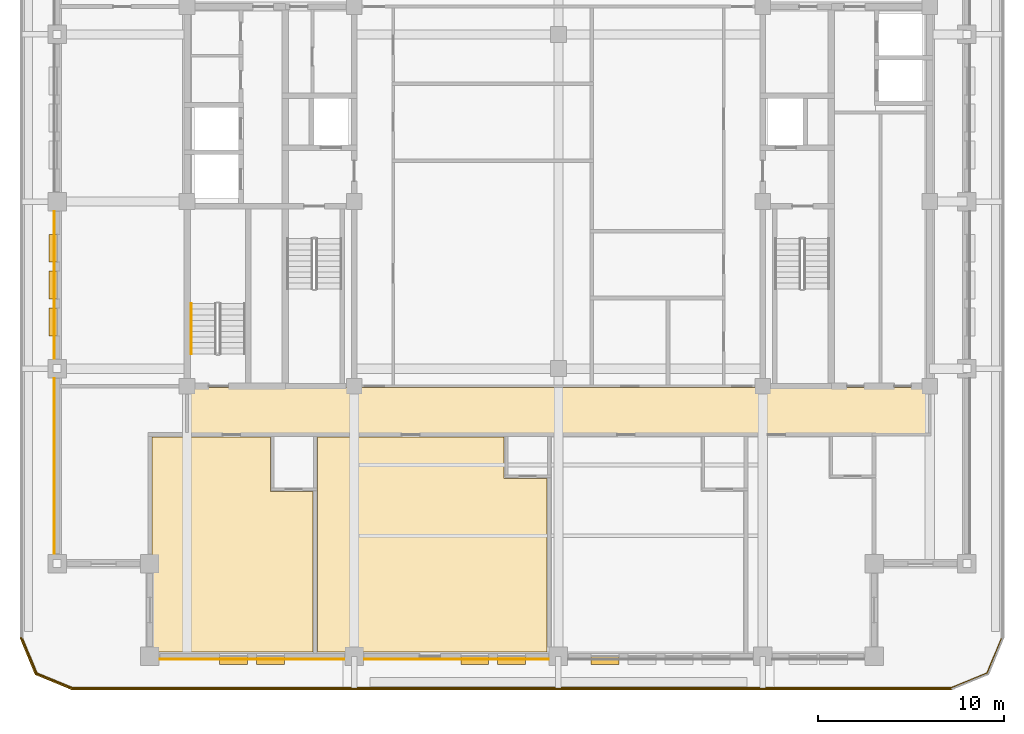
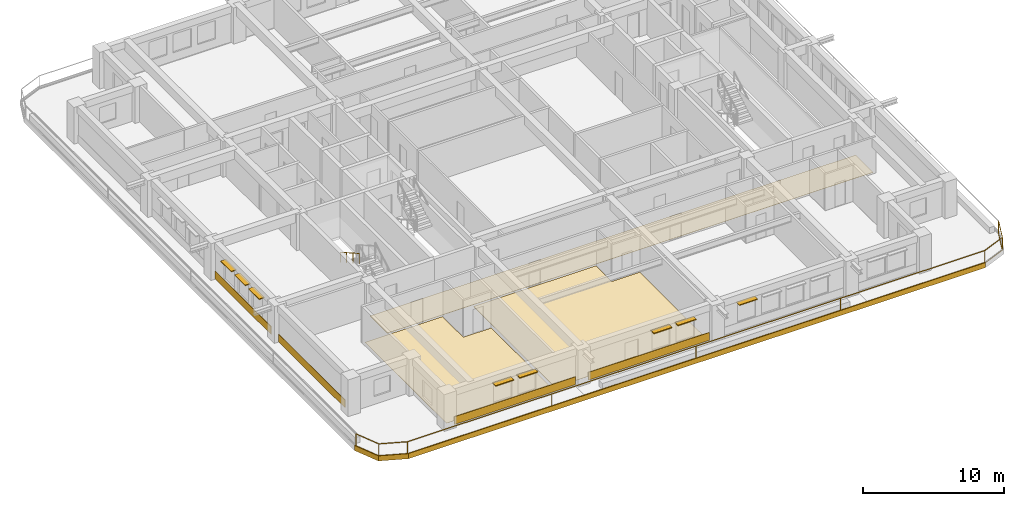
# One storey, part 8 of 14: 10 coverings, 8 shading devices, 2 railings.
"""IFC4 building model written with IfcOpenShell, lengths in metres."""

from ifc_helpers import new_model, si_unit, direction, frame, frame_2d, origin, origin_2d, place, context, subcontext, project, spatial, polyline, rectangle, outline, extrude, material, layer, layer_set, type_object, element, save


model = new_model("IFC4")

# Units and contexts
model_context = context("Model", 3, precision=1e-05, world=origin(), true_north=direction((0.0, 1.0)))
body_context = subcontext(model_context, "Body", "Model", "MODEL_VIEW")
ifc_project = project(units=[si_unit("LENGTHUNIT", "METRE"), si_unit("AREAUNIT", "SQUARE_METRE"), si_unit("VOLUMEUNIT", "CUBIC_METRE"), si_unit("PLANEANGLEUNIT", "RADIAN"), si_unit("MASSUNIT", "GRAM", prefix="KILO")], contexts=[model_context])

# Site, building, storey
site_placement = place(None, origin())
site = spatial("IfcSite", under=ifc_project, at=site_placement, CompositionType="ELEMENT")
building_placement = place(site_placement, origin())
building = spatial("IfcBuilding", under=site, at=building_placement, Name="Zulmaris Gate Convention Tower", CompositionType="ELEMENT")
storey_placement = place(building_placement, frame((0.0, 0.0, 198.260009765625)))
storey = spatial("IfcBuildingStorey", under=building, at=storey_placement, Name="L51", CompositionType="ELEMENT", Elevation=198.260009765625)

# Coverings
ifc_material_1 = material(Name="Precast concrete C40/50", Category="concrete")
ifc_layer_1 = layer(ifc_material_1, 0.0400390625, Name="Precast concrete C40/50")
ifc_layer_set_1 = layer_set([ifc_layer_1], Name="Precast concrete C40/50")
covering_type_1 = type_object("IfcCoveringType", Name="CLAD-SPANDREL-PRECAST", PredefinedType="CLADDING", material=ifc_layer_set_1)
for number, where, z_axis, x_axis, name in (
    (1, (-21.469970703125, -24.64990234375, 0.0), (0.0, 0.0, 1.0), (1.0, 0.0, 0.0), "CLD-L51-S-0_0"),
    (2, (-10.469970703125, -24.64990234375, 0.0), (0.0, 0.0, 1.0), (1.0, 0.0, 0.0), "CLD-L51-S-1_0"),
):
    element("IfcCovering", number, at=place(storey_placement, frame(where, z_axis=z_axis, x_axis=x_axis)), inside=storey, type_object=covering_type_1, Name=name, PredefinedType="CLADDING", context=body_context, shape_type="SweptSolid", body=[
        extrude(rectangle(XDim=9.93994140625, YDim=0.0400390625, at=frame_2d((4.969970703125, 0.0))), origin(), (0.0, 0.0, 1.0), 0.679931640625),
    ])
covering_1_placement = place(storey_placement, frame((-27.14990234375, -9.530029296875, 0.0), z_axis=(0.0, 0.0, 1.0), x_axis=(0.0, -1.0, 0.0)))
element("IfcCovering", 3, at=covering_1_placement, inside=storey, type_object=covering_type_1, Name="CLD-L51-W-0_0", PredefinedType="CLADDING", context=body_context, shape_type="SweptSolid", body=[
    extrude(rectangle(XDim=9.43994140625, YDim=0.0400390625, at=frame_2d((4.719970703125, 0.0))), origin(), (0.0, 0.0, 1.0), 0.679931640625),
])
covering_2_placement = place(storey_placement, frame((-27.14990234375, -0.530029296875, 0.0), z_axis=(0.0, 0.0, 1.0), x_axis=(0.0, -1.0, 0.0)))
element("IfcCovering", 4, at=covering_2_placement, inside=storey, type_object=covering_type_1, Name="CLD-L51-W-1_0", PredefinedType="CLADDING", context=body_context, shape_type="SweptSolid", body=[
    extrude(rectangle(XDim=7.93994140625, YDim=0.0400390625, at=frame_2d((3.969970703125, 0.0))), origin(), (0.0, 0.0, 1.0), 0.679931640625),
])
ifc_material_2 = material(Name="White Glazed Architectural Precast Concrete C40/50", Category="concrete")
ifc_layer_2 = layer(ifc_material_2, 0.080078125, Name="White Glazed Architectural Precast Concrete C40/50")
ifc_layer_set_2 = layer_set([ifc_layer_2], Name="White Glazed Architectural Precast Concrete C40/50")
covering_type_2 = type_object("IfcCoveringType", Name="CLAD-TRAY-FASCIA", PredefinedType="CLADDING", material=ifc_layer_set_2)
covering_3_placement = place(storey_placement, frame((-28.962890625, -23.484619140625, -0.31494140625), z_axis=(0.0, 0.0, 1.0), x_axis=(0.382656984709, -0.923890487046, 0.0)))
element("IfcCovering", 5, at=covering_3_placement, inside=storey, type_object=covering_type_2, Name="FSC-L51-TR-00", PredefinedType="CLADDING", context=body_context, shape_type="SweptSolid", body=[
    extrude(rectangle(XDim=2.14306640625, YDim=0.080078125, at=frame_2d((1.071533203125, 0.0))), origin(), (0.0, 0.0, 1.0), 0.43994140625),
])
covering_4_placement = place(storey_placement, frame((-28.16455078125, -25.44287109375, -0.31494140625), z_axis=(0.0, 0.0, 1.0), x_axis=(0.923873803533, -0.382697263049, 0.0)))
element("IfcCovering", 6, at=covering_4_placement, inside=storey, type_object=covering_type_2, Name="FSC-L51-TR-01", PredefinedType="CLADDING", context=body_context, shape_type="SweptSolid", body=[
    extrude(rectangle(XDim=2.142822265625, YDim=0.080078125, at=frame_2d((1.0712890625, 0.0))), origin(), (0.0, 0.0, 1.0), 0.43994140625),
])
covering_5_placement = place(storey_placement, frame((-26.199951171875, -26.260009765625, -0.31494140625), z_axis=(0.0, 0.0, 1.0), x_axis=(1.0, 0.0, 0.0)))
element("IfcCovering", 7, at=covering_5_placement, inside=storey, type_object=covering_type_2, Name="FSC-L51-TR-02", PredefinedType="CLADDING", context=body_context, shape_type="SweptSolid", body=[
    extrude(rectangle(XDim=47.39990234375, YDim=0.080078125, at=frame_2d((23.699951171875, 0.0))), origin(), (0.0, 0.0, 1.0), 0.43994140625),
])
ifc_material_3 = material(Name="Woven Acoustic Wool Carpet Tile")
ifc_layer_3 = layer(ifc_material_3, 0.02001953125, Name="Woven Acoustic Wool Carpet Tile")
ifc_layer_set_3 = layer_set([ifc_layer_3], Name="Woven Acoustic Wool Carpet Tile")
covering_type_3 = type_object("IfcCoveringType", Name="FLR-CARPET-12", PredefinedType="FLOORING", material=ifc_layer_set_3)
covering_6_placement = place(storey_placement, origin())
element("IfcCovering", 8, at=covering_6_placement, inside=storey, type_object=covering_type_3, Name="FLR-L51-R29", PredefinedType="FLOORING", context=body_context, shape_type="SweptSolid", body=[
    extrude(outline(polyline([(-19.93994140625, -12.489990234375), (19.93994140625, -12.489990234375), (19.93994140625, -10.010009765625), (-19.93994140625, -10.010009765625), (-19.93994140625, -12.489990234375)])), origin(), (0.0, 0.0, 1.0), 0.02001953125),
])
ifc_material_4 = material(Name="Engineered Teak Parquet Flooring")
ifc_layer_4 = layer(ifc_material_4, 0.02001953125, Name="Engineered Teak Parquet Flooring")
ifc_layer_set_4 = layer_set([ifc_layer_4], Name="Engineered Teak Parquet Flooring")
covering_type_4 = type_object("IfcCoveringType", Name="FLR-TIMBER-18", PredefinedType="FLOORING", material=ifc_layer_set_4)
covering_7_placement = place(storey_placement, origin())
element("IfcCovering", 9, at=covering_7_placement, inside=storey, type_object=covering_type_4, Name="FLR-L51-R39", PredefinedType="FLOORING", context=body_context, shape_type="SweptSolid", body=[
    extrude(outline(polyline([(-21.8798828125, -24.260009765625), (-13.219970703125, -24.260009765625), (-13.219970703125, -15.6201171875), (-15.52001953125, -15.6201171875), (-15.52001953125, -12.669921875), (-21.8798828125, -12.669921875), (-21.8798828125, -24.260009765625)])), origin(), (0.0, 0.0, 1.0), 0.02001953125),
])
covering_8_placement = place(storey_placement, origin())
element("IfcCovering", 10, at=covering_8_placement, inside=storey, type_object=covering_type_4, Name="FLR-L51-R41", PredefinedType="FLOORING", context=body_context, shape_type="SweptSolid", body=[
    extrude(outline(polyline([(-12.97998046875, -24.260009765625), (-0.6201171875, -24.260009765625), (-0.6201171875, -14.919921875), (-2.919921875, -14.919921875), (-2.919921875, -12.669921875), (-12.97998046875, -12.669921875), (-12.97998046875, -24.260009765625)])), origin(), (0.0, 0.0, 1.0), 0.02001953125),
])

# Railings
ifc_material_5 = material(Name="Laminated Glass and Stainless Steel", Category="steel")
railing_type_1 = type_object("IfcRailingType", Name="RL-BALC-1150", PredefinedType="BALUSTRADE", material=ifc_material_5)
railing_1_placement = place(storey_placement, frame((-28.8798828125, -23.5, -0.034912109375)))
element("IfcRailing", 11, at=railing_1_placement, inside=storey, type_object=railing_type_1, Name="RL-L51-BALC-S", PredefinedType="BALUSTRADE", context=body_context, shape_type="SweptSolid", body=[
    extrude(rectangle(XDim=0.048095703125, YDim=0.048095703125, at=origin_2d()), frame((0.0, 0.0, 1.1259765625), z_axis=(0.382670664694, -0.92388482095, 0.0), x_axis=(0.92388482095, 0.382670664694, 0.0)), (0.0, 0.0, 1.0), 2.051025390625),
    extrude(rectangle(XDim=0.048095703125, YDim=0.048095703125, at=origin_2d()), frame((0.0, 0.0, 0.02392578125), z_axis=(0.382670664694, -0.92388482095, 0.0), x_axis=(0.92388482095, 0.382670664694, 0.0)), (0.0, 0.0, 1.0), 2.051025390625),
    extrude(rectangle(XDim=0.048095703125, YDim=0.048095703125, at=origin_2d()), frame((0.784912109375, -1.89501953125, 1.1259765625), z_axis=(0.92388482095, -0.382670664694, 0.0), x_axis=(0.382670664694, 0.92388482095, 0.0)), (0.0, 0.0, 1.0), 2.051025390625),
    extrude(rectangle(XDim=0.048095703125, YDim=0.048095703125, at=origin_2d()), frame((0.784912109375, -1.89501953125, 0.02392578125), z_axis=(0.92388482095, -0.382670664694, 0.0), x_axis=(0.382670664694, 0.92388482095, 0.0)), (0.0, 0.0, 1.0), 2.051025390625),
    extrude(rectangle(XDim=0.048095703125, YDim=0.048095703125, at=origin_2d()), frame((2.679931640625, -2.679931640625, 1.1259765625), z_axis=(1.0, 0.0, 0.0), x_axis=(0.0, 1.0, 0.0)), (0.0, 0.0, 1.0), 47.39990234375),
    extrude(rectangle(XDim=0.048095703125, YDim=0.048095703125, at=origin_2d()), frame((2.679931640625, -2.679931640625, 0.02392578125), z_axis=(1.0, 0.0, 0.0), x_axis=(0.0, 1.0, 0.0)), (0.0, 0.0, 1.0), 47.39990234375),
    extrude(rectangle(XDim=0.048095703125, YDim=0.048095703125, at=origin_2d()), frame((50.079833984375, -2.679931640625, 1.1259765625), z_axis=(0.92388482095, 0.382670664694, 0.0), x_axis=(-0.382670664694, 0.92388482095, 0.0)), (0.0, 0.0, 1.0), 2.051025390625),
    extrude(rectangle(XDim=0.048095703125, YDim=0.048095703125, at=origin_2d()), frame((50.079833984375, -2.679931640625, 0.02392578125), z_axis=(0.92388482095, 0.382670664694, 0.0), x_axis=(-0.382670664694, 0.92388482095, 0.0)), (0.0, 0.0, 1.0), 2.051025390625),
    extrude(rectangle(XDim=0.048095703125, YDim=0.048095703125, at=origin_2d()), frame((51.974853515625, -1.89501953125, 1.1259765625), z_axis=(0.382670664694, 0.92388482095, 0.0), x_axis=(-0.92388482095, 0.382670664694, 0.0)), (0.0, 0.0, 1.0), 2.051025390625),
    extrude(rectangle(XDim=0.048095703125, YDim=0.048095703125, at=origin_2d()), frame((51.974853515625, -1.89501953125, 0.02392578125), z_axis=(0.382670664694, 0.92388482095, 0.0), x_axis=(-0.92388482095, 0.382670664694, 0.0)), (0.0, 0.0, 1.0), 2.051025390625),
    extrude(rectangle(XDim=0.0419921875, YDim=0.0419921875, at=origin_2d()), origin(), (0.0, 0.0, 1.0), 1.101806640625),
    extrude(rectangle(XDim=0.0419921875, YDim=0.0419921875, at=origin_2d()), frame((0.784912109375, -1.89501953125, 0.0)), (0.0, 0.0, 1.0), 1.101806640625),
    extrude(rectangle(XDim=0.0419921875, YDim=0.0419921875, at=origin_2d()), frame((2.679931640625, -2.679931640625, 0.0)), (0.0, 0.0, 1.0), 1.101806640625),
    extrude(rectangle(XDim=0.0419921875, YDim=0.0419921875, at=origin_2d()), frame((14.52978515625, -2.679931640625, 0.0)), (0.0, 0.0, 1.0), 1.101806640625),
    extrude(rectangle(XDim=0.0419921875, YDim=0.0419921875, at=origin_2d()), frame((26.3798828125, -2.679931640625, 0.0)), (0.0, 0.0, 1.0), 1.101806640625),
    extrude(rectangle(XDim=0.0419921875, YDim=0.0419921875, at=origin_2d()), frame((38.22998046875, -2.679931640625, 0.0)), (0.0, 0.0, 1.0), 1.101806640625),
    extrude(rectangle(XDim=0.0419921875, YDim=0.0419921875, at=origin_2d()), frame((50.079833984375, -2.679931640625, 0.0)), (0.0, 0.0, 1.0), 1.101806640625),
    extrude(rectangle(XDim=0.0419921875, YDim=0.0419921875, at=origin_2d()), frame((51.974853515625, -1.89501953125, 0.0)), (0.0, 0.0, 1.0), 1.101806640625),
    extrude(rectangle(XDim=0.0419921875, YDim=0.0419921875, at=origin_2d()), frame((52.759765625, 0.0, 0.0)), (0.0, 0.0, 1.0), 1.101806640625),
])
ifc_material_6 = material(Name="Brushed Stainless Steel", Category="steel")
railing_type_2 = type_object("IfcRailingType", Name="RL-STH-900", PredefinedType="HANDRAIL", material=ifc_material_6)
railing_2_placement = place(storey_placement, frame((-19.77001953125, -5.5, 1.869873046875)))
element("IfcRailing", 12, at=railing_2_placement, inside=storey, type_object=railing_type_2, Name="L51 ST-3 stair handrail 2", PredefinedType="HANDRAIL", context=body_context, shape_type="SweptSolid", body=[
    extrude(rectangle(XDim=0.048095703125, YDim=0.048095703125, at=origin_2d()), frame((0.0, 0.0, 0.8759765625), z_axis=(0.0, -0.870014312096, 0.49302646658), x_axis=(1.0, 0.0, 0.0)), (0.0, 0.0, 1.0), 3.103271484375),
    extrude(rectangle(XDim=0.0419921875, YDim=0.0419921875, at=origin_2d()), origin(), (0.0, 0.0, 1.0), 0.851806640625),
    extrude(rectangle(XDim=0.0419921875, YDim=0.0419921875, at=origin_2d()), frame((0.0, -0.89990234375, 0.510009765625)), (0.0, 0.0, 1.0), 0.851806640625),
    extrude(rectangle(XDim=0.0419921875, YDim=0.0419921875, at=origin_2d()), frame((0.0, -1.800048828125, 1.02001953125)), (0.0, 0.0, 1.0), 0.851806640625),
    extrude(rectangle(XDim=0.0419921875, YDim=0.0419921875, at=origin_2d()), frame((0.0, -2.699951171875, 1.530029296875)), (0.0, 0.0, 1.0), 0.851806640625),
])

# Shading devices
ifc_material_7 = material(Name="Glazed Ceramic Terracotta", Category="masonry")
ifc_layer_5 = layer(ifc_material_7, 0.070068359375, Name="Glazed Ceramic Terracotta")
ifc_layer_set_5 = layer_set([ifc_layer_5], Name="Glazed Ceramic Terracotta")
shading_device_type = type_object("IfcShadingDeviceType", Name="SHD-SUNSHADE-TC", PredefinedType="AWNING", material=ifc_layer_set_5)
for number, where, z_axis, x_axis, name in (
    (13, (-18.243896484375, -24.719970703125, 2.35009765625), (0.0, 0.0, 1.0), (1.0, 0.0, 0.0), "SHD-EW-L51-S-0_0-2"),
    (14, (-16.256103515625, -24.719970703125, 2.35009765625), (0.0, 0.0, 1.0), (1.0, 0.0, 0.0), "SHD-EW-L51-S-0_0-3"),
    (15, (-5.256103515625, -24.719970703125, 2.35009765625), (0.0, 0.0, 1.0), (1.0, 0.0, 0.0), "SHD-EW-L51-S-1_0-3"),
    (16, (-3.26806640625, -24.719970703125, 2.35009765625), (0.0, 0.0, 1.0), (1.0, 0.0, 0.0), "SHD-EW-L51-S-1_0-4"),
    (17, (1.76806640625, -24.719970703125, 2.35009765625), (0.0, 0.0, 1.0), (1.0, 0.0, 0.0), "SHD-EW-L51-S-2_0-1"),
    (18, (-27.219970703125, -1.764892578125, 2.35009765625), (0.0, 0.0, 1.0), (0.0, -1.0, 0.0), "SHD-EW-L51-W-1_0-1"),
    (19, (-27.219970703125, -3.75, 2.35009765625), (0.0, 0.0, 1.0), (0.0, -1.0, 0.0), "SHD-EW-L51-W-1_0-2"),
    (20, (-27.219970703125, -5.735107421875, 2.35009765625), (0.0, 0.0, 1.0), (0.0, -1.0, 0.0), "SHD-EW-L51-W-1_0-3"),
):
    element("IfcShadingDevice", number, at=place(storey_placement, frame(where, z_axis=z_axis, x_axis=x_axis)), inside=storey, type_object=shading_device_type, Name=name, PredefinedType="AWNING", context=body_context, shape_type="SweptSolid", body=[
        extrude(rectangle(XDim=1.5, YDim=0.43994140625, at=frame_2d((0.75, 0.0))), origin(), (0.0, 0.0, 1.0), 0.06982421875),
    ])

save(model, "model.ifc")
